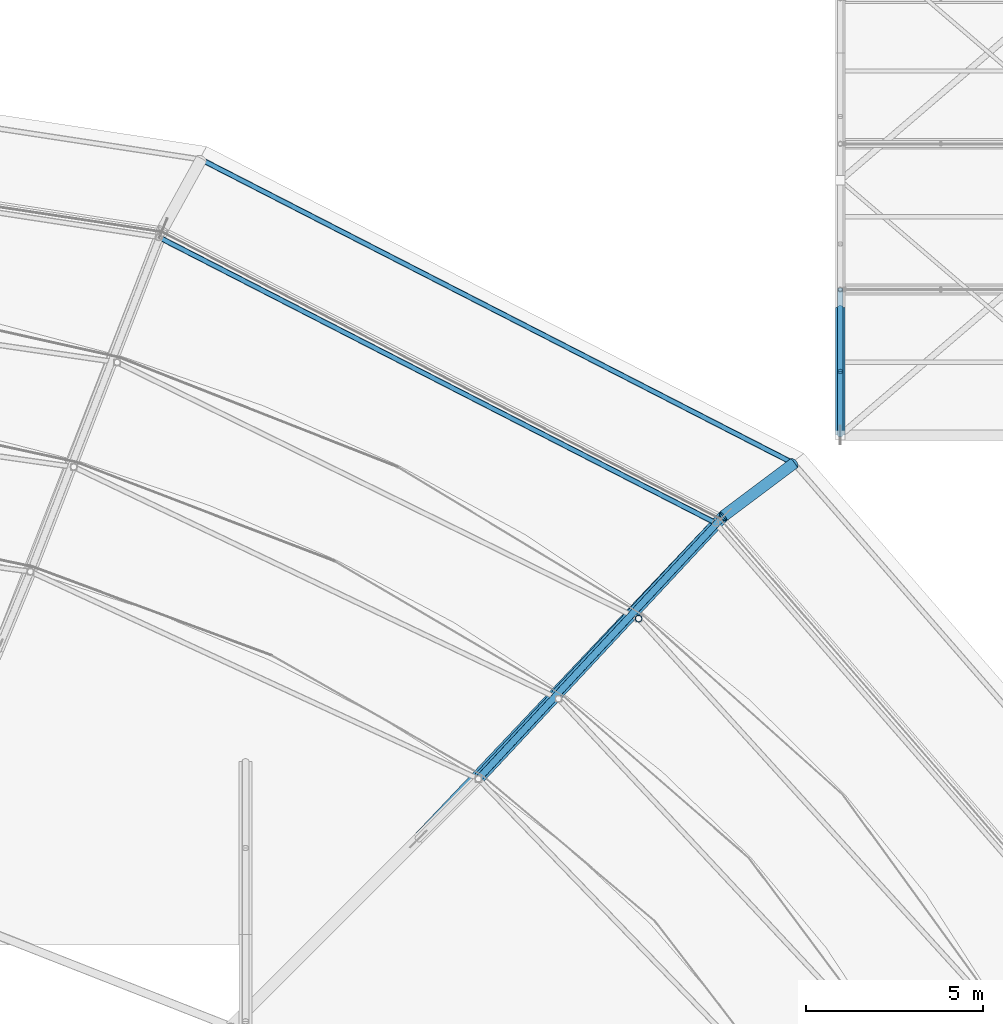
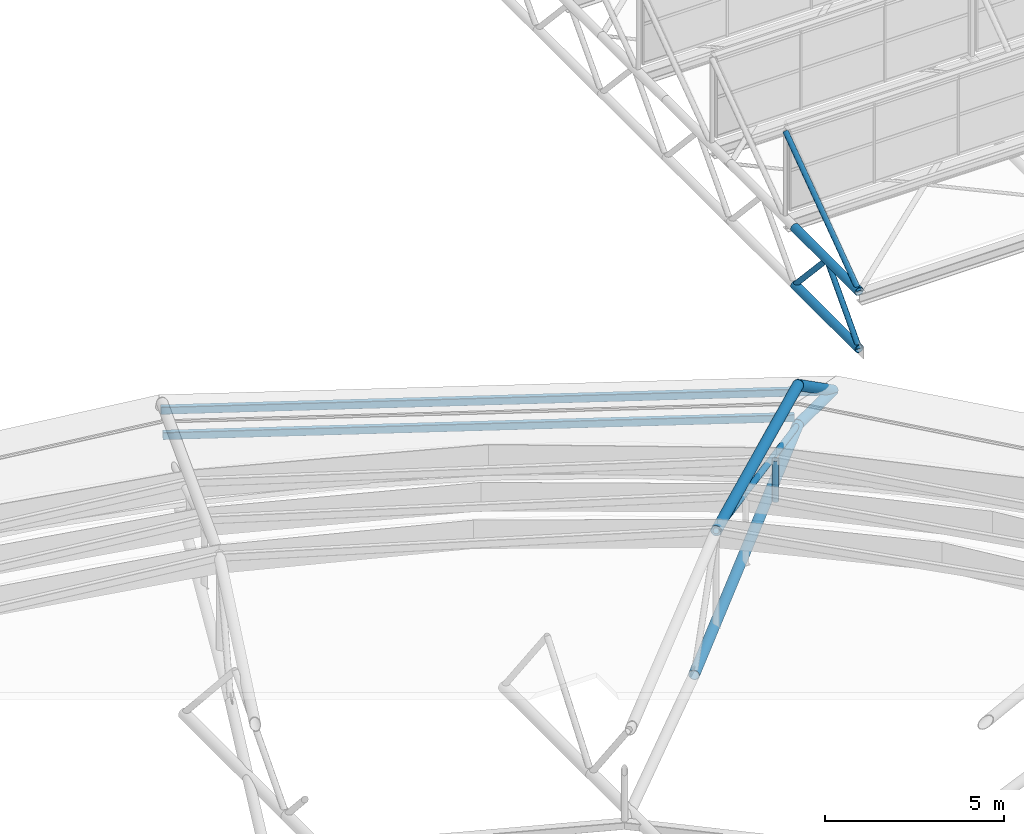
# One storey, part 48 of 134: 11 members, 2 beams.
"""IFC4 building model written with IfcOpenShell, lengths in metres."""

from ifc_helpers import new_model, si_unit, derived_unit, direction, frame, origin, origin_2d, place, context, subcontext, project, spatial, hollow_rectangle, hollow_circle, extrude, material, material_profile, profile_set, type_object, element, save


model = new_model("IFC4")

# Units and contexts
model_context = context("Model", 3, precision=1e-05, world=origin(), true_north=direction((0.0, 1.0)))
body_context = subcontext(model_context, "Body", "Model", "MODEL_VIEW")
ifc_project = project(units=[si_unit("LENGTHUNIT", "METRE"), si_unit("AREAUNIT", "SQUARE_METRE"), si_unit("VOLUMEUNIT", "CUBIC_METRE"), si_unit("PLANEANGLEUNIT", "RADIAN"), si_unit("MASSUNIT", "GRAM", prefix="KILO"), derived_unit("THERMALTRANSMITTANCEUNIT", [(si_unit("MASSUNIT", "GRAM", prefix="KILO"), 1), (si_unit("TIMEUNIT", "SECOND"), -3), (si_unit("THERMODYNAMICTEMPERATUREUNIT", "KELVIN"), -1)])], contexts=[model_context])

# Site, building, storey
site_placement = place(None, origin())
site = spatial("IfcSite", under=ifc_project, at=site_placement, CompositionType="ELEMENT")
building_placement = place(site_placement, origin())
building = spatial("IfcBuilding", under=site, at=building_placement, Name="Kharveza Railside Sports Centre", CompositionType="ELEMENT")
storey_placement = place(building_placement, frame((0.0, 0.0, 12.89990234375)))
storey = spatial("IfcBuildingStorey", under=building, at=storey_placement, Name="L03", CompositionType="ELEMENT", Elevation=12.89990234375)

# Beams
ifc_material = material(Name="Steel S355J2", Category="steel")
ifc_material_profile_1 = material_profile(ifc_material, hollow_rectangle(XDim=0.14990234375, YDim=0.25, WallThickness=0.010009765625, InnerFilletRadius=0.010009765625, OuterFilletRadius=0.02001953125, at=origin_2d()), Name="RHS 150x250x10.0")
ifc_profile_set_1 = profile_set([ifc_material_profile_1], Name="Steel S355J2")
beam_type = type_object("IfcBeamType", Name="BM-SP04", PredefinedType="SPANDREL", material=ifc_profile_set_1)
beam_1_placement = place(storey_placement, frame((88.87353515625, 76.723388671875, 0.405029296875), z_axis=(-0.889684255974, 0.456576307612, 0.0), x_axis=(-0.456576307612, -0.889684255974, 0.0)))
element("IfcBeam", 1, at=beam_1_placement, inside=storey, type_object=beam_type, Name="BM-LIDRING-S1-03", PredefinedType="SPANDREL", context=body_context, shape_type="SweptSolid", body=[
    extrude(hollow_rectangle(XDim=0.14990234375, YDim=0.25, WallThickness=0.010009765625, InnerFilletRadius=0.010009765625, OuterFilletRadius=0.02001953125, at=origin_2d()), origin(), (0.0, 0.0, 1.0), 17.674560546875),
])
beam_2_placement = place(storey_placement, frame((91.086669921875, 78.4013671875, -0.47998046875), z_axis=(-0.889828406465, 0.456295306844, 0.0), x_axis=(-0.456295306844, -0.889828406465, 0.0)))
element("IfcBeam", 2, at=beam_2_placement, inside=storey, type_object=beam_type, Name="BM-LIDRING-RIM-03", PredefinedType="SPANDREL", context=body_context, shape_type="SweptSolid", body=[
    extrude(hollow_rectangle(XDim=0.14990234375, YDim=0.25, WallThickness=0.010009765625, InnerFilletRadius=0.010009765625, OuterFilletRadius=0.02001953125, at=origin_2d()), origin(), (0.0, 0.0, 1.0), 18.81298828125),
])

# Members
ifc_material_profile_2 = material_profile(ifc_material, hollow_circle(Radius=0.161865234375, WallThickness=0.01611328125, at=origin_2d()), Name="CHS 323.9x16.0")
ifc_profile_set_2 = profile_set([ifc_material_profile_2], Name="Steel S355J2")
member_type_1 = type_object("IfcMemberType", Name="MB-CH02", PredefinedType="CHORD", material=ifc_profile_set_2)
member_1_placement = place(storey_placement, frame((80.47998046875, 67.794921875, -0.0498046875), z_axis=(0.687123572984, 0.726540566968, 0.0), x_axis=(-0.726540566968, 0.687123572984, 0.0)))
element("IfcMember", 3, at=member_1_placement, inside=storey, type_object=member_type_1, Name="MB-OUT-BC2-03", PredefinedType="CHORD", context=body_context, shape_type="SweptSolid", body=[
    extrude(hollow_circle(Radius=0.161865234375, WallThickness=0.01611328125, at=origin_2d()), origin(), (0.0, 0.0, 1.0), 12.554931640625),
])
member_2_placement = place(storey_placement, frame((89.106689453125, 76.91650390625, -0.0498046875), z_axis=(0.788205736048, 0.591105707355, -0.171247658066), x_axis=(-0.599968432631, 0.800023674554, 0.0)))
element("IfcMember", 4, at=member_2_placement, inside=storey, type_object=member_type_1, Name="MB-OUT-BC3-03", PredefinedType="CHORD", context=body_context, shape_type="SweptSolid", body=[
    extrude(hollow_circle(Radius=0.161865234375, WallThickness=0.01611328125, at=origin_2d()), origin(), (0.0, 0.0, 1.0), 2.511962890625),
])
member_3_placement = place(storey_placement, frame((82.17724609375, 69.491943359375, 3.25), z_axis=(0.670071214212, 0.717948620491, -0.188558601554), x_axis=(-0.731062462895, 0.682310541723, 0.0)))
element("IfcMember", 5, at=member_3_placement, inside=storey, type_object=member_type_1, Name="MB-OUT-TC2-03", PredefinedType="CHORD", context=body_context, shape_type="SweptSolid", body=[
    extrude(hollow_circle(Radius=0.161865234375, WallThickness=0.01611328125, at=origin_2d()), origin(), (0.0, 0.0, 1.0), 10.34130859375),
])
member_4_placement = place(storey_placement, frame((89.106689453125, 76.91650390625, 1.300048828125), z_axis=(0.649483085441, 0.487072271967, -0.583894103076), x_axis=(-0.599968432631, 0.800023674554, 0.0)))
element("IfcMember", 6, at=member_4_placement, inside=storey, type_object=member_type_1, Name="MB-OUT-TC3-03", PredefinedType="CHORD", context=body_context, shape_type="SweptSolid", body=[
    extrude(hollow_circle(Radius=0.161865234375, WallThickness=0.01611328125, at=origin_2d()), origin(), (0.0, 0.0, 1.0), 3.048583984375),
])
ifc_material_profile_3 = material_profile(ifc_material, hollow_circle(Radius=0.136474609375, WallThickness=0.01416015625, at=origin_2d()), Name="CHS 273.0x14.2")
ifc_profile_set_3 = profile_set([ifc_material_profile_3], Name="Steel S355J2")
member_type_2 = type_object("IfcMemberType", Name="MB-CH03", PredefinedType="CHORD", material=ifc_profile_set_3)
for number, where, z_axis, x_axis, name in (
    (7, (92.39990234375, 79.199951171875, 0.0), (0.0, 1.0, 0.0), (-1.0, 0.0, 0.0), "MB-V2TR-BC-1-1"),
    (8, (92.39990234375, 79.199951171875, 1.9501953125), (0.0, 1.0, 0.0), (-1.0, 0.0, 0.0), "MB-V2TR-TC-1-1"),
):
    element("IfcMember", number, at=place(storey_placement, frame(where, z_axis=z_axis, x_axis=x_axis)), inside=storey, type_object=member_type_2, Name=name, PredefinedType="CHORD", context=body_context, shape_type="SweptSolid", body=[
        extrude(hollow_circle(Radius=0.136474609375, WallThickness=0.01416015625, at=origin_2d()), origin(), (0.0, 0.0, 1.0), 3.60009765625),
    ])
ifc_material_profile_4 = material_profile(ifc_material, hollow_circle(Radius=0.096923828125, WallThickness=0.010009765625, at=origin_2d()), Name="CHS 193.7x10.0")
ifc_profile_set_4 = profile_set([ifc_material_profile_4], Name="Steel S355J2")
member_type_3 = type_object("IfcMemberType", Name="MB-ST02", PredefinedType="STRUT", material=ifc_profile_set_4)
member_5_placement = place(storey_placement, frame((86.70263671875, 74.017333984375, -0.0498046875), z_axis=(0.0, 0.0, 1.0), x_axis=(1.0, 0.0, 0.0)))
element("IfcMember", 9, at=member_5_placement, inside=storey, type_object=member_type_3, Name="MB-LIDPOST-S2-03", PredefinedType="STRUT", context=body_context, shape_type="SweptSolid", body=[
    extrude(hollow_circle(Radius=0.096923828125, WallThickness=0.010009765625, at=origin_2d()), origin(), (0.0, 0.0, 1.0), 1.40478515625),
])
member_6_placement = place(storey_placement, frame((82.17724609375, 69.491943359375, 3.25), z_axis=(0.648916467759, 0.695282341578, -0.309014374035), x_axis=(-0.731062462895, 0.682310541723, 0.0)))
element("IfcMember", 10, at=member_6_placement, inside=storey, type_object=member_type_3, Name="MB-OUT-WEB-03-3", PredefinedType="STRUT", context=body_context, shape_type="SweptSolid", body=[
    extrude(hollow_circle(Radius=0.096923828125, WallThickness=0.010009765625, at=origin_2d()), origin(), (0.0, 0.0, 1.0), 10.678466796875),
])
ifc_material_profile_5 = material_profile(ifc_material, hollow_circle(Radius=0.084228515625, WallThickness=0.010009765625, at=origin_2d()), Name="CHS 168.3x10.0")
ifc_profile_set_5 = profile_set([ifc_material_profile_5], Name="Steel S355J2")
member_type_4 = type_object("IfcMemberType", Name="MB-ST03", PredefinedType="STRUT", material=ifc_profile_set_5)
for number, where, z_axis, x_axis, name in (
    (11, (92.39990234375, 79.199951171875, 0.0), (0.0, 0.67825335715, 0.734828131956), (-1.0, 0.0, 0.0), "MB-V2TR-D1-1-1"),
    (12, (92.39990234375, 81.0, 1.9501953125), (0.0, 0.67825335715, -0.734828131956), (-1.0, 0.0, 0.0), "MB-V2TR-D2-1-1"),
):
    element("IfcMember", number, at=place(storey_placement, frame(where, z_axis=z_axis, x_axis=x_axis)), inside=storey, type_object=member_type_4, Name=name, PredefinedType="STRUT", context=body_context, shape_type="SweptSolid", body=[
        extrude(hollow_circle(Radius=0.084228515625, WallThickness=0.010009765625, at=origin_2d()), origin(), (0.0, 0.0, 1.0), 2.654052734375),
    ])
member_7_placement = place(storey_placement, frame((92.39990234375, 79.199951171875, 1.9501953125), z_axis=(0.0, 0.810813691418, 0.585304329225), x_axis=(-1.0, 0.0, 0.0)))
element("IfcMember", 13, at=member_7_placement, inside=storey, type_object=member_type_4, Name="MB-V2SAW-RFT-1-1", PredefinedType="STRUT", context=body_context, shape_type="SweptSolid", body=[
    extrude(hollow_circle(Radius=0.084228515625, WallThickness=0.010009765625, at=origin_2d()), origin(), (0.0, 0.0, 1.0), 5.07421875),
])

save(model, "model.ifc")
